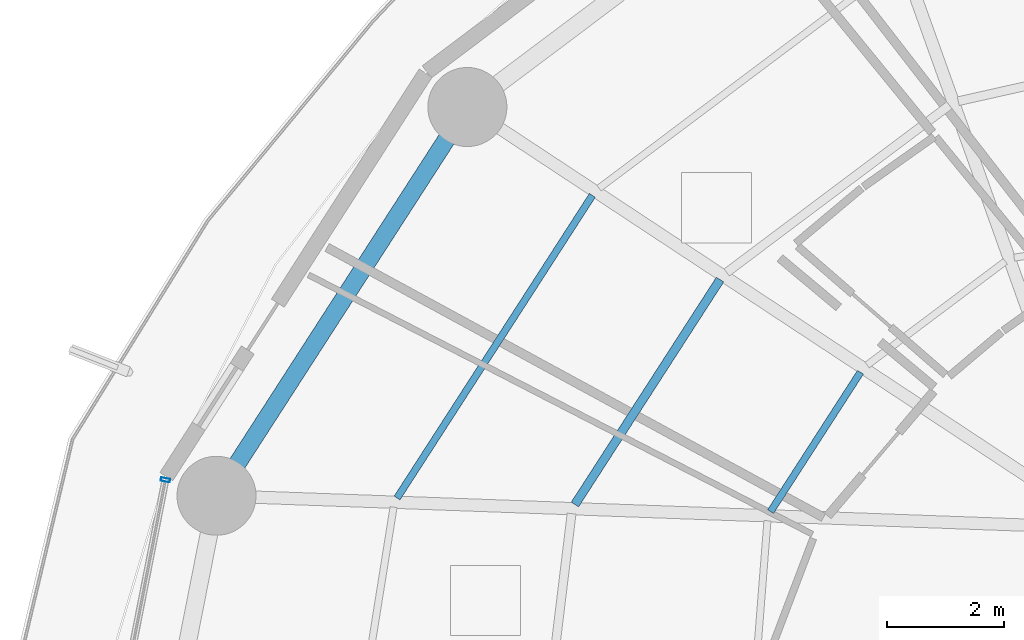
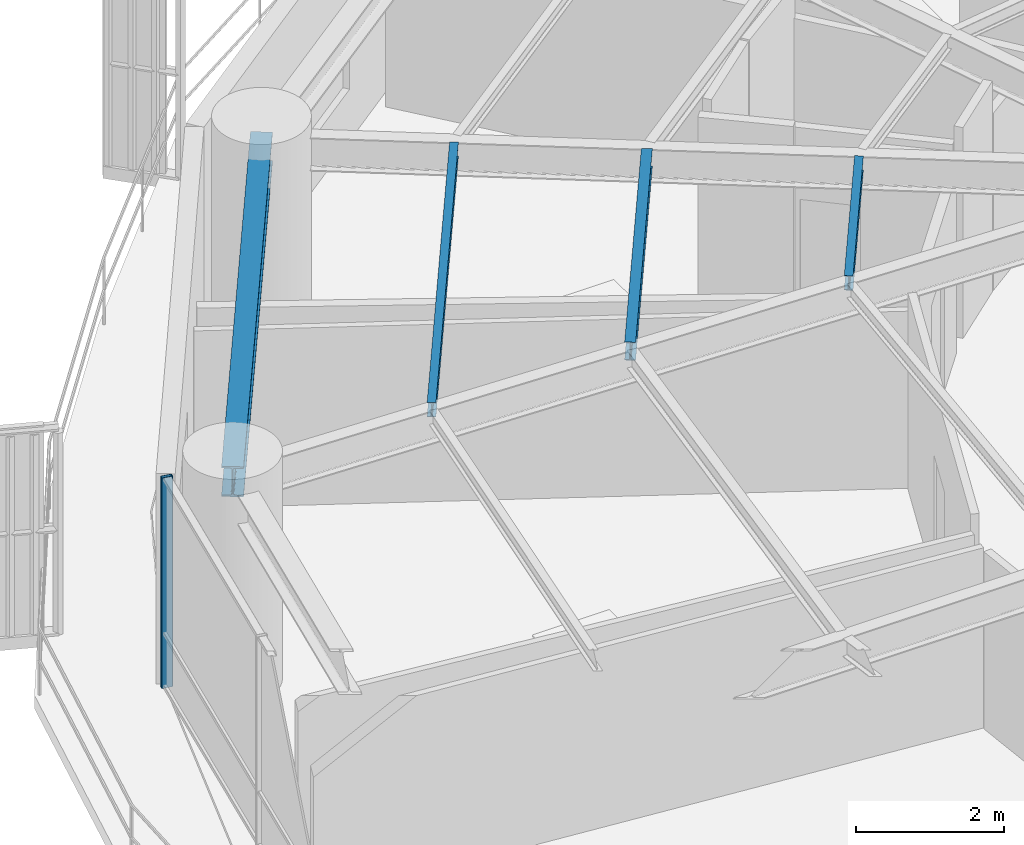
# One storey, part 18 of 38: 4 beams, 1 member, 1 element without a shape of its own.
"""IFC4 building model written with IfcOpenShell, lengths in metres."""

from ifc_helpers import new_model, si_unit, direction, frame, origin, origin_2d, place, context, subcontext, project, spatial, hollow_rectangle, i_section, extrude, material, layer, layer_set, material_profile, profile_set, type_object, element, aggregate, save


model = new_model("IFC4")

# Units and contexts
model_context = context("Model", 3, precision=1e-05, world=origin(), true_north=direction((0.0, 1.0)))
body_context = subcontext(model_context, "Body", "Model", "MODEL_VIEW")
ifc_project = project(units=[si_unit("LENGTHUNIT", "METRE"), si_unit("AREAUNIT", "SQUARE_METRE"), si_unit("VOLUMEUNIT", "CUBIC_METRE"), si_unit("PLANEANGLEUNIT", "RADIAN"), si_unit("MASSUNIT", "GRAM", prefix="KILO")], contexts=[model_context])

# Site, building, storey
site_placement = place(None, origin())
site = spatial("IfcSite", under=ifc_project, at=site_placement, CompositionType="ELEMENT")
building_placement = place(site_placement, origin())
building = spatial("IfcBuilding", under=site, at=building_placement, Name="Kelanora Arch Commons", CompositionType="ELEMENT")
storey_placement = place(building_placement, frame((0.0, 0.0, 106.35009765625)))
storey = spatial("IfcBuildingStorey", under=building, at=storey_placement, Name="L27", CompositionType="ELEMENT", Elevation=106.35009765625)

# Beams
ifc_material_1 = material(Name="Steel S355", Category="steel")
ifc_material_profile_1 = material_profile(ifc_material_1, i_section(OverallWidth=0.14990234375, OverallDepth=0.300048828125, WebThickness=0.007080078125, FlangeThickness=0.0107421875, FilletRadius=0.014892578125, at=origin_2d()), Name="IPE300")
ifc_profile_set_1 = profile_set([ifc_material_profile_1], Name="Steel S355")
beam_type_1 = type_object("IfcBeamType", Name="BM-JST-01", PredefinedType="JOIST", material=ifc_profile_set_1)
beam_1_placement = place(storey_placement, frame((59.410400390625, 69.244384765625, 3.33984375), z_axis=(-0.542230243286, -0.840229946661, 0.0), x_axis=(0.840229946661, -0.542230243286, 0.0)))
element("IfcBeam", 1, at=beam_1_placement, inside=storey, type_object=beam_type_1, Name="Secondary Chord Joist BJB-14 L27", PredefinedType="JOIST", context=body_context, shape_type="SweptSolid", body=[
    extrude(i_section(OverallWidth=0.14990234375, OverallDepth=0.300048828125, WebThickness=0.007080078125, FlangeThickness=0.0107421875, FilletRadius=0.014892578125, at=origin_2d()), origin(), (0.0, 0.0, 1.0), 4.572265625),
])
ifc_material_profile_2 = material_profile(ifc_material_1, i_section(OverallWidth=0.1201171875, OverallDepth=0.239990234375, WebThickness=0.006103515625, FlangeThickness=0.009765625, FilletRadius=0.014892578125, at=origin_2d()), Name="IPE240")
ifc_profile_set_2 = profile_set([ifc_material_profile_2], Name="Steel S355")
beam_type_2 = type_object("IfcBeamType", Name="BM-JST-02", PredefinedType="JOIST", material=ifc_profile_set_2)
beam_2_placement = place(storey_placement, frame((61.8095703125, 67.661865234375, 3.369873046875), z_axis=(-0.542211255502, -0.840242199849, 0.0), x_axis=(0.840242199849, -0.542211255502, 0.0)))
element("IfcBeam", 2, at=beam_2_placement, inside=storey, type_object=beam_type_2, Name="Secondary Chord Joist BJA-14 L27", PredefinedType="JOIST", context=body_context, shape_type="SweptSolid", body=[
    extrude(i_section(OverallWidth=0.1201171875, OverallDepth=0.239990234375, WebThickness=0.006103515625, FlangeThickness=0.009765625, FilletRadius=0.014892578125, at=origin_2d()), origin(), (0.0, 0.0, 1.0), 2.83349609375),
])
beam_3_placement = place(storey_placement, frame((57.22900390625, 70.682861328125, 3.369873046875), z_axis=(-0.542212726273, -0.840241250754, 0.0), x_axis=(0.840241250754, -0.542212726273, 0.0)))
element("IfcBeam", 3, at=beam_3_placement, inside=storey, type_object=beam_type_2, Name="Secondary Chord Joist BJC-14 L27", PredefinedType="JOIST", context=body_context, shape_type="SweptSolid", body=[
    extrude(i_section(OverallWidth=0.1201171875, OverallDepth=0.239990234375, WebThickness=0.006103515625, FlangeThickness=0.009765625, FilletRadius=0.014892578125, at=origin_2d()), origin(), (0.0, 0.0, 1.0), 6.15283203125),
])
ifc_material_profile_3 = material_profile(ifc_material_1, i_section(OverallWidth=0.300048828125, OverallDepth=0.5, WebThickness=0.014404296875, FlangeThickness=0.028076171875, FilletRadius=0.027099609375, at=origin_2d()), Name="HEB500")
ifc_profile_set_3 = profile_set([ifc_material_profile_3], Name="Steel S355")
beam_type_3 = type_object("IfcBeamType", Name="BM-SPN-Z2", PredefinedType="SPANDREL", material=ifc_profile_set_3)
beam_4_placement = place(storey_placement, frame((55.093994140625, 72.19287109375, 3.239990234375), z_axis=(-0.542221144054, -0.840235818649, 0.0), x_axis=(0.840235818649, -0.542221144054, 0.0)))
element("IfcBeam", 4, at=beam_4_placement, inside=storey, type_object=beam_type_3, Name="Perimeter Spandrel Beam BS-14 L27", PredefinedType="SPANDREL", context=body_context, shape_type="SweptSolid", body=[
    extrude(i_section(OverallWidth=0.300048828125, OverallDepth=0.5, WebThickness=0.014404296875, FlangeThickness=0.028076171875, FilletRadius=0.027099609375, at=origin_2d()), origin(), (0.0, 0.0, 1.0), 7.90380859375),
])

# Curtain wall, member
ifc_material_2 = material(Name="Terracotta ceramic-fritted low-E glass and aluminium", Category="masonry")
ifc_layer = layer(ifc_material_2, 0.159912109375)
ifc_layer_set = layer_set([ifc_layer], Name="Terracotta ceramic-fritted low-E glass and aluminium")
curtain_wall_type = type_object("IfcCurtainWallType", Name="CW-SYS-01", PredefinedType="NOTDEFINED", material=ifc_layer_set)
curtain_wall_placement = place(storey_placement, origin())
curtain_wall = element("IfcCurtainWall", 5, at=curtain_wall_placement, inside=storey, type_object=curtain_wall_type, Name="Unitised Curtain Wall L27-B08", PredefinedType="NOTDEFINED")
ifc_material_3 = material(Name="Powder-coated aluminium terracotta", Category="masonry")
ifc_material_profile_4 = material_profile(ifc_material_3, hollow_rectangle(XDim=0.159912109375, YDim=0.06005859375, WallThickness=0.0048828125, InnerFilletRadius=0.0048828125, OuterFilletRadius=0.010009765625, at=origin_2d()), Name="CWM160x60")
ifc_profile_set_4 = profile_set([ifc_material_profile_4], Name="Powder-coated aluminium terracotta")
member_type = type_object("IfcMemberType", Name="CWM-STD", PredefinedType="MULLION", material=ifc_profile_set_4)
member_placement = place(storey_placement, frame((49.935302734375, 65.822265625, 0.0), z_axis=(0.0, 0.0, 1.0), x_axis=(0.981280311646, -0.192584916272, 0.0)))
member = element("IfcMember", 6, at=member_placement, type_object=member_type, Name="CW-01 mullion 1", PredefinedType="MULLION", context=body_context, shape_type="SweptSolid", body=[
    extrude(hollow_rectangle(XDim=0.159912109375, YDim=0.06005859375, WallThickness=0.0048828125, InnerFilletRadius=0.0048828125, OuterFilletRadius=0.010009765625, at=origin_2d()), origin(), (0.0, 0.0, 1.0), 3.474853515625),
])
aggregate(curtain_wall, [member])

save(model, "model.ifc")
